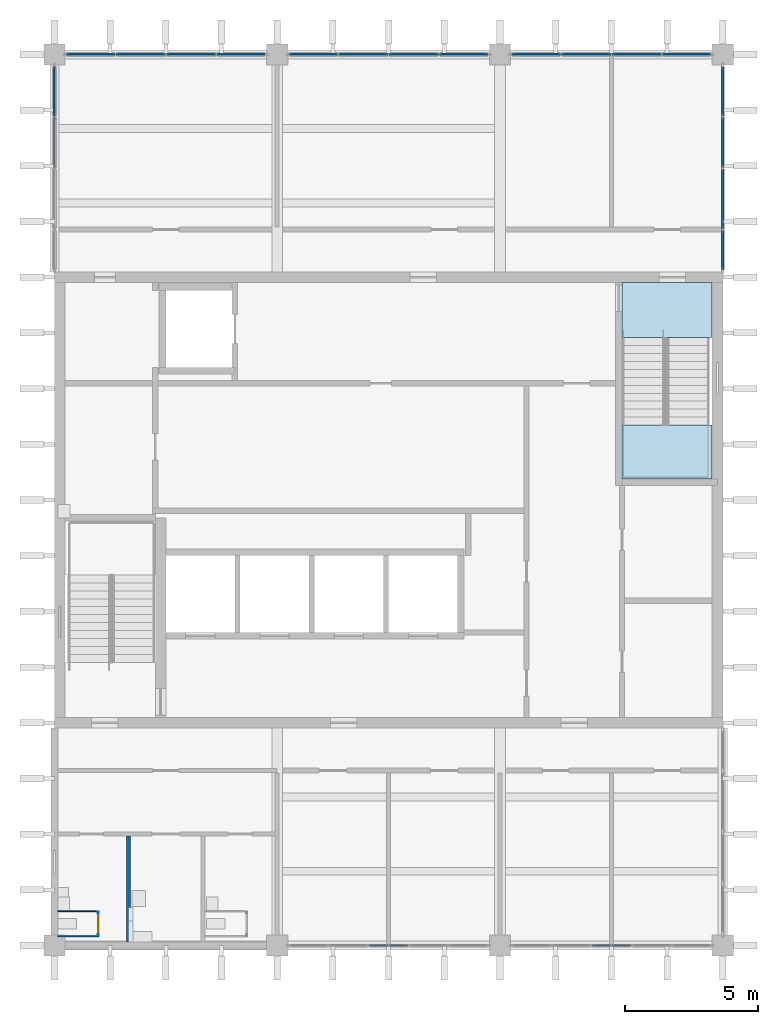
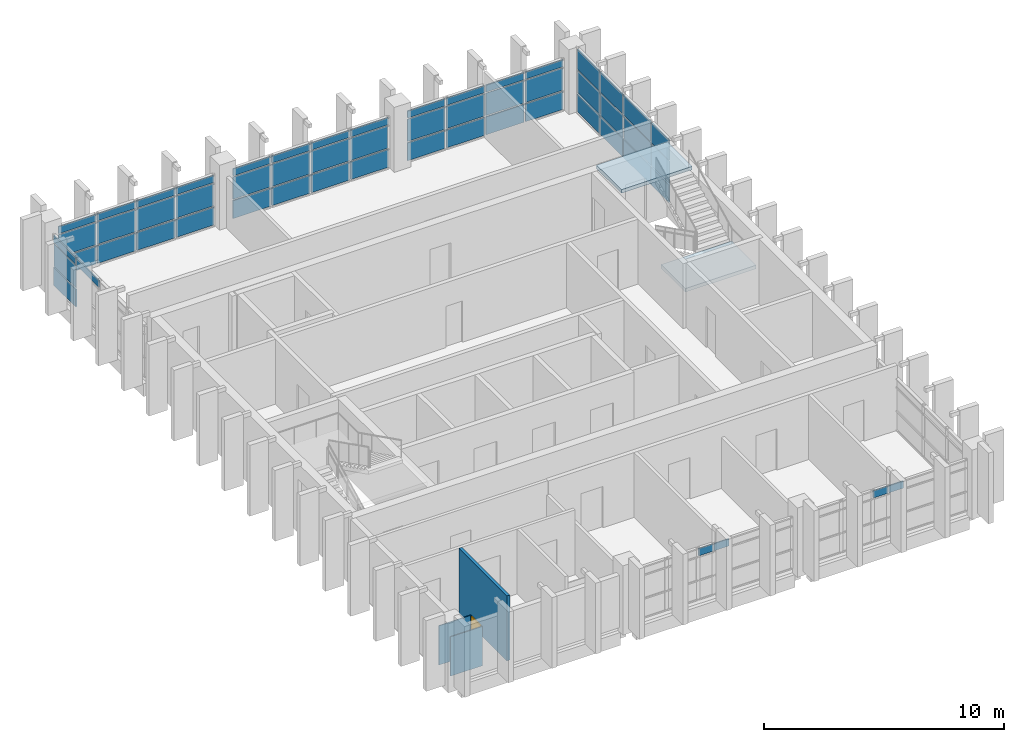
# One storey, part 6 of 11: 56 plates, 4 walls, 2 slabs, 1 door, 1 opening, 8 elements without a shape of their own.
"""IFC4 building model written with IfcOpenShell, lengths in metres."""

from ifc_helpers import new_model, si_unit, direction, frame, frame_2d, origin, origin_2d, place, context, subcontext, project, spatial, polyline, rectangle, outline, extrude, material, layer, layer_set, type_object, element, fill, aggregate, save


model = new_model("IFC4")

# Units and contexts
model_context = context("Model", 3, precision=1e-05, world=origin(), true_north=direction((0.0, 1.0)))
body_context = subcontext(model_context, "Body", "Model", "MODEL_VIEW")
ifc_project = project(units=[si_unit("LENGTHUNIT", "METRE"), si_unit("AREAUNIT", "SQUARE_METRE"), si_unit("VOLUMEUNIT", "CUBIC_METRE"), si_unit("PLANEANGLEUNIT", "RADIAN"), si_unit("MASSUNIT", "GRAM", prefix="KILO")], contexts=[model_context])

# Site, building, storey
site_placement = place(None, origin())
site = spatial("IfcSite", under=ifc_project, at=site_placement, CompositionType="ELEMENT")
building_placement = place(site_placement, origin())
building = spatial("IfcBuilding", under=site, at=building_placement, Name="Rulbaag Community and Learning Centre", CompositionType="ELEMENT")
storey_placement = place(building_placement, frame((0.0, 0.0, 46.800048828125)))
storey = spatial("IfcBuildingStorey", under=building, at=storey_placement, Name="L12", CompositionType="ELEMENT", Elevation=46.800048828125)

# Curtain wall, plates
ifc_material_1 = material(Name="Aluminium", Category="aluminium")
ifc_layer_1 = layer(ifc_material_1, 0.14990234375)
ifc_layer_set_1 = layer_set([ifc_layer_1], Name="CW-S")
curtain_wall_type_1 = type_object("IfcCurtainWallType", Name="CW-S", PredefinedType="USERDEFINED", material=ifc_layer_set_1)
curtain_wall_1_placement = place(storey_placement, origin())
curtain_wall_1 = element("IfcCurtainWall", 1, at=curtain_wall_1_placement, inside=storey, type_object=curtain_wall_type_1, Name="GS-L12-01", ObjectType="UNITISED CURTAIN WALL", PredefinedType="USERDEFINED")
ifc_layer_2 = layer(ifc_material_1, 0.054931640625)
ifc_layer_set_2 = layer_set([ifc_layer_2], Name="CW-S-SPN")
plate_type_1 = type_object("IfcPlateType", Name="CW-S-SPN", PredefinedType="CURTAIN_PANEL", material=ifc_layer_set_2)
plate_1_placement = place(storey_placement, frame((155.02001953125, 84.0, 2.22998046875), z_axis=(0.0, 0.0, 1.0), x_axis=(1.0, 0.0, 0.0)))
plate_1 = element("IfcPlate", 2, at=plate_1_placement, type_object=plate_type_1, Name="GS spandrel panel", PredefinedType="CURTAIN_PANEL", context=body_context, shape_type="SweptSolid", body=[
    extrude(rectangle(XDim=0.699951171875, YDim=0.054931640625, at=origin_2d()), origin(), (0.0, 0.0, 1.0), 0.360107421875),
])
plate_2_placement = place(storey_placement, frame((155.780029296875, 84.0, 2.22998046875), z_axis=(0.0, 0.0, 1.0), x_axis=(1.0, 0.0, 0.0)))
plate_2 = element("IfcPlate", 3, at=plate_2_placement, type_object=plate_type_1, Name="GS spandrel panel", PredefinedType="CURTAIN_PANEL", context=body_context, shape_type="SweptSolid", body=[
    extrude(rectangle(XDim=0.699951171875, YDim=0.054931640625, at=origin_2d()), origin(), (0.0, 0.0, 1.0), 0.360107421875),
])
aggregate(curtain_wall_1, [plate_1, plate_2])

curtain_wall_2_placement = place(storey_placement, origin())
curtain_wall_2 = element("IfcCurtainWall", 4, at=curtain_wall_2_placement, inside=storey, type_object=curtain_wall_type_1, Name="GS-L12-02", ObjectType="UNITISED CURTAIN WALL", PredefinedType="USERDEFINED")
plate_3_placement = place(storey_placement, frame((163.419921875, 84.0, 2.22998046875), z_axis=(0.0, 0.0, 1.0), x_axis=(1.0, 0.0, 0.0)))
plate_3 = element("IfcPlate", 5, at=plate_3_placement, type_object=plate_type_1, Name="GS spandrel panel", PredefinedType="CURTAIN_PANEL", context=body_context, shape_type="SweptSolid", body=[
    extrude(rectangle(XDim=0.699951171875, YDim=0.054931640625, at=origin_2d()), origin(), (0.0, 0.0, 1.0), 0.360107421875),
])
plate_4_placement = place(storey_placement, frame((164.179931640625, 84.0, 2.22998046875), z_axis=(0.0, 0.0, 1.0), x_axis=(1.0, 0.0, 0.0)))
plate_4 = element("IfcPlate", 6, at=plate_4_placement, type_object=plate_type_1, Name="GS spandrel panel", PredefinedType="CURTAIN_PANEL", context=body_context, shape_type="SweptSolid", body=[
    extrude(rectangle(XDim=0.699951171875, YDim=0.054931640625, at=origin_2d()), origin(), (0.0, 0.0, 1.0), 0.360107421875),
])
aggregate(curtain_wall_2, [plate_3, plate_4])

ifc_layer_3 = layer(ifc_material_1, 0.14990234375)
ifc_layer_set_3 = layer_set([ifc_layer_3], Name="CW-T")
curtain_wall_type_2 = type_object("IfcCurtainWallType", Name="CW-T", PredefinedType="USERDEFINED", material=ifc_layer_set_3)
curtain_wall_3_placement = place(storey_placement, origin())
curtain_wall_3 = element("IfcCurtainWall", 7, at=curtain_wall_3_placement, inside=storey, type_object=curtain_wall_type_2, Name="GT-L12-01", ObjectType="UNITISED CURTAIN WALL", PredefinedType="USERDEFINED")
ifc_layer_4 = layer(ifc_material_1, 0.06005859375)
ifc_layer_set_4 = layer_set([ifc_layer_4], Name="CW-T-SPN")
plate_type_2 = type_object("IfcPlateType", Name="CW-T-SPN", PredefinedType="CURTAIN_PANEL", material=ifc_layer_set_4)
plate_5_placement = place(storey_placement, frame((144.166259765625, 117.60009765625, 0.06494140625), z_axis=(0.0, 0.0, 1.0), x_axis=(1.0, 0.0, 0.0)))
plate_5 = element("IfcPlate", 8, at=plate_5_placement, type_object=plate_type_2, Name="GT spandrel panel", PredefinedType="CURTAIN_PANEL", context=body_context, shape_type="SweptSolid", body=[
    extrude(rectangle(XDim=1.802490234375, YDim=0.06005859375, at=origin_2d()), origin(), (0.0, 0.0, 1.0), 0.902587890625),
])
plate_6_placement = place(storey_placement, frame((144.166259765625, 117.60009765625, 2.232421875), z_axis=(0.0, 0.0, 1.0), x_axis=(1.0, 0.0, 0.0)))
plate_6 = element("IfcPlate", 9, at=plate_6_placement, type_object=plate_type_2, Name="GT spandrel panel", PredefinedType="CURTAIN_PANEL", context=body_context, shape_type="SweptSolid", body=[
    extrude(rectangle(XDim=1.802490234375, YDim=0.06005859375, at=origin_2d()), origin(), (0.0, 0.0, 1.0), 0.3525390625),
])
plate_7_placement = place(storey_placement, frame((146.050048828125, 117.60009765625, 0.06494140625), z_axis=(0.0, 0.0, 1.0), x_axis=(1.0, 0.0, 0.0)))
plate_7 = element("IfcPlate", 10, at=plate_7_placement, type_object=plate_type_2, Name="GT spandrel panel", PredefinedType="CURTAIN_PANEL", context=body_context, shape_type="SweptSolid", body=[
    extrude(rectangle(XDim=1.8349609375, YDim=0.06005859375, at=origin_2d()), origin(), (0.0, 0.0, 1.0), 0.902587890625),
])
plate_8_placement = place(storey_placement, frame((146.050048828125, 117.60009765625, 2.232421875), z_axis=(0.0, 0.0, 1.0), x_axis=(1.0, 0.0, 0.0)))
plate_8 = element("IfcPlate", 11, at=plate_8_placement, type_object=plate_type_2, Name="GT spandrel panel", PredefinedType="CURTAIN_PANEL", context=body_context, shape_type="SweptSolid", body=[
    extrude(rectangle(XDim=1.8349609375, YDim=0.06005859375, at=origin_2d()), origin(), (0.0, 0.0, 1.0), 0.3525390625),
])
plate_9_placement = place(storey_placement, frame((147.949951171875, 117.60009765625, 0.06494140625), z_axis=(0.0, 0.0, 1.0), x_axis=(1.0, 0.0, 0.0)))
plate_9 = element("IfcPlate", 12, at=plate_9_placement, type_object=plate_type_2, Name="GT spandrel panel", PredefinedType="CURTAIN_PANEL", context=body_context, shape_type="SweptSolid", body=[
    extrude(rectangle(XDim=1.8349609375, YDim=0.06005859375, at=origin_2d()), origin(), (0.0, 0.0, 1.0), 0.902587890625),
])
plate_10_placement = place(storey_placement, frame((147.949951171875, 117.60009765625, 2.232421875), z_axis=(0.0, 0.0, 1.0), x_axis=(1.0, 0.0, 0.0)))
plate_10 = element("IfcPlate", 13, at=plate_10_placement, type_object=plate_type_2, Name="GT spandrel panel", PredefinedType="CURTAIN_PANEL", context=body_context, shape_type="SweptSolid", body=[
    extrude(rectangle(XDim=1.8349609375, YDim=0.06005859375, at=origin_2d()), origin(), (0.0, 0.0, 1.0), 0.3525390625),
])
plate_11_placement = place(storey_placement, frame((149.833740234375, 117.60009765625, 0.06494140625), z_axis=(0.0, 0.0, 1.0), x_axis=(1.0, 0.0, 0.0)))
plate_11 = element("IfcPlate", 14, at=plate_11_placement, type_object=plate_type_2, Name="GT spandrel panel", PredefinedType="CURTAIN_PANEL", context=body_context, shape_type="SweptSolid", body=[
    extrude(rectangle(XDim=1.802490234375, YDim=0.06005859375, at=origin_2d()), origin(), (0.0, 0.0, 1.0), 0.902587890625),
])
plate_12_placement = place(storey_placement, frame((149.833740234375, 117.60009765625, 2.232421875), z_axis=(0.0, 0.0, 1.0), x_axis=(1.0, 0.0, 0.0)))
plate_12 = element("IfcPlate", 15, at=plate_12_placement, type_object=plate_type_2, Name="GT spandrel panel", PredefinedType="CURTAIN_PANEL", context=body_context, shape_type="SweptSolid", body=[
    extrude(rectangle(XDim=1.802490234375, YDim=0.06005859375, at=origin_2d()), origin(), (0.0, 0.0, 1.0), 0.3525390625),
])

curtain_wall_4_placement = place(storey_placement, origin())
curtain_wall_4 = element("IfcCurtainWall", 16, at=curtain_wall_4_placement, inside=storey, type_object=curtain_wall_type_2, Name="GT-L12-02", ObjectType="UNITISED CURTAIN WALL", PredefinedType="USERDEFINED")
plate_13_placement = place(storey_placement, frame((152.566162109375, 117.60009765625, 0.06494140625), z_axis=(0.0, 0.0, 1.0), x_axis=(1.0, 0.0, 0.0)))
plate_13 = element("IfcPlate", 17, at=plate_13_placement, type_object=plate_type_2, Name="GT spandrel panel", PredefinedType="CURTAIN_PANEL", context=body_context, shape_type="SweptSolid", body=[
    extrude(rectangle(XDim=1.802490234375, YDim=0.06005859375, at=origin_2d()), origin(), (0.0, 0.0, 1.0), 0.902587890625),
])
plate_14_placement = place(storey_placement, frame((152.566162109375, 117.60009765625, 2.232421875), z_axis=(0.0, 0.0, 1.0), x_axis=(1.0, 0.0, 0.0)))
plate_14 = element("IfcPlate", 18, at=plate_14_placement, type_object=plate_type_2, Name="GT spandrel panel", PredefinedType="CURTAIN_PANEL", context=body_context, shape_type="SweptSolid", body=[
    extrude(rectangle(XDim=1.802490234375, YDim=0.06005859375, at=origin_2d()), origin(), (0.0, 0.0, 1.0), 0.3525390625),
])
plate_15_placement = place(storey_placement, frame((154.449951171875, 117.60009765625, 0.06494140625), z_axis=(0.0, 0.0, 1.0), x_axis=(1.0, 0.0, 0.0)))
plate_15 = element("IfcPlate", 19, at=plate_15_placement, type_object=plate_type_2, Name="GT spandrel panel", PredefinedType="CURTAIN_PANEL", context=body_context, shape_type="SweptSolid", body=[
    extrude(rectangle(XDim=1.8349609375, YDim=0.06005859375, at=origin_2d()), origin(), (0.0, 0.0, 1.0), 0.902587890625),
])
plate_16_placement = place(storey_placement, frame((154.449951171875, 117.60009765625, 2.232421875), z_axis=(0.0, 0.0, 1.0), x_axis=(1.0, 0.0, 0.0)))
plate_16 = element("IfcPlate", 20, at=plate_16_placement, type_object=plate_type_2, Name="GT spandrel panel", PredefinedType="CURTAIN_PANEL", context=body_context, shape_type="SweptSolid", body=[
    extrude(rectangle(XDim=1.8349609375, YDim=0.06005859375, at=origin_2d()), origin(), (0.0, 0.0, 1.0), 0.3525390625),
])
plate_17_placement = place(storey_placement, frame((156.35009765625, 117.60009765625, 0.06494140625), z_axis=(0.0, 0.0, 1.0), x_axis=(1.0, 0.0, 0.0)))
plate_17 = element("IfcPlate", 21, at=plate_17_placement, type_object=plate_type_2, Name="GT spandrel panel", PredefinedType="CURTAIN_PANEL", context=body_context, shape_type="SweptSolid", body=[
    extrude(rectangle(XDim=1.8349609375, YDim=0.06005859375, at=origin_2d()), origin(), (0.0, 0.0, 1.0), 0.902587890625),
])
plate_18_placement = place(storey_placement, frame((156.35009765625, 117.60009765625, 2.232421875), z_axis=(0.0, 0.0, 1.0), x_axis=(1.0, 0.0, 0.0)))
plate_18 = element("IfcPlate", 22, at=plate_18_placement, type_object=plate_type_2, Name="GT spandrel panel", PredefinedType="CURTAIN_PANEL", context=body_context, shape_type="SweptSolid", body=[
    extrude(rectangle(XDim=1.8349609375, YDim=0.06005859375, at=origin_2d()), origin(), (0.0, 0.0, 1.0), 0.3525390625),
])
plate_19_placement = place(storey_placement, frame((158.233642578125, 117.60009765625, 0.06494140625), z_axis=(0.0, 0.0, 1.0), x_axis=(1.0, 0.0, 0.0)))
plate_19 = element("IfcPlate", 23, at=plate_19_placement, type_object=plate_type_2, Name="GT spandrel panel", PredefinedType="CURTAIN_PANEL", context=body_context, shape_type="SweptSolid", body=[
    extrude(rectangle(XDim=1.802490234375, YDim=0.06005859375, at=origin_2d()), origin(), (0.0, 0.0, 1.0), 0.902587890625),
])
plate_20_placement = place(storey_placement, frame((158.233642578125, 117.60009765625, 2.232421875), z_axis=(0.0, 0.0, 1.0), x_axis=(1.0, 0.0, 0.0)))
plate_20 = element("IfcPlate", 24, at=plate_20_placement, type_object=plate_type_2, Name="GT spandrel panel", PredefinedType="CURTAIN_PANEL", context=body_context, shape_type="SweptSolid", body=[
    extrude(rectangle(XDim=1.802490234375, YDim=0.06005859375, at=origin_2d()), origin(), (0.0, 0.0, 1.0), 0.3525390625),
])

curtain_wall_5_placement = place(storey_placement, origin())
curtain_wall_5 = element("IfcCurtainWall", 25, at=curtain_wall_5_placement, inside=storey, type_object=curtain_wall_type_2, Name="GT-L12-03", ObjectType="UNITISED CURTAIN WALL", PredefinedType="USERDEFINED")
plate_21_placement = place(storey_placement, frame((160.96630859375, 117.60009765625, 0.06494140625), z_axis=(0.0, 0.0, 1.0), x_axis=(1.0, 0.0, 0.0)))
plate_21 = element("IfcPlate", 26, at=plate_21_placement, type_object=plate_type_2, Name="GT spandrel panel", PredefinedType="CURTAIN_PANEL", context=body_context, shape_type="SweptSolid", body=[
    extrude(rectangle(XDim=1.802490234375, YDim=0.06005859375, at=origin_2d()), origin(), (0.0, 0.0, 1.0), 0.902587890625),
])
plate_22_placement = place(storey_placement, frame((160.96630859375, 117.60009765625, 2.232421875), z_axis=(0.0, 0.0, 1.0), x_axis=(1.0, 0.0, 0.0)))
plate_22 = element("IfcPlate", 27, at=plate_22_placement, type_object=plate_type_2, Name="GT spandrel panel", PredefinedType="CURTAIN_PANEL", context=body_context, shape_type="SweptSolid", body=[
    extrude(rectangle(XDim=1.802490234375, YDim=0.06005859375, at=origin_2d()), origin(), (0.0, 0.0, 1.0), 0.3525390625),
])
plate_23_placement = place(storey_placement, frame((162.85009765625, 117.60009765625, 0.06494140625), z_axis=(0.0, 0.0, 1.0), x_axis=(1.0, 0.0, 0.0)))
plate_23 = element("IfcPlate", 28, at=plate_23_placement, type_object=plate_type_2, Name="GT spandrel panel", PredefinedType="CURTAIN_PANEL", context=body_context, shape_type="SweptSolid", body=[
    extrude(rectangle(XDim=1.8349609375, YDim=0.06005859375, at=origin_2d()), origin(), (0.0, 0.0, 1.0), 0.902587890625),
])
plate_24_placement = place(storey_placement, frame((162.85009765625, 117.60009765625, 2.232421875), z_axis=(0.0, 0.0, 1.0), x_axis=(1.0, 0.0, 0.0)))
plate_24 = element("IfcPlate", 29, at=plate_24_placement, type_object=plate_type_2, Name="GT spandrel panel", PredefinedType="CURTAIN_PANEL", context=body_context, shape_type="SweptSolid", body=[
    extrude(rectangle(XDim=1.8349609375, YDim=0.06005859375, at=origin_2d()), origin(), (0.0, 0.0, 1.0), 0.3525390625),
])
plate_25_placement = place(storey_placement, frame((164.75, 117.60009765625, 0.06494140625), z_axis=(0.0, 0.0, 1.0), x_axis=(1.0, 0.0, 0.0)))
plate_25 = element("IfcPlate", 30, at=plate_25_placement, type_object=plate_type_2, Name="GT spandrel panel", PredefinedType="CURTAIN_PANEL", context=body_context, shape_type="SweptSolid", body=[
    extrude(rectangle(XDim=1.8349609375, YDim=0.06005859375, at=origin_2d()), origin(), (0.0, 0.0, 1.0), 0.902587890625),
])
plate_26_placement = place(storey_placement, frame((164.75, 117.60009765625, 2.232421875), z_axis=(0.0, 0.0, 1.0), x_axis=(1.0, 0.0, 0.0)))
plate_26 = element("IfcPlate", 31, at=plate_26_placement, type_object=plate_type_2, Name="GT spandrel panel", PredefinedType="CURTAIN_PANEL", context=body_context, shape_type="SweptSolid", body=[
    extrude(rectangle(XDim=1.8349609375, YDim=0.06005859375, at=origin_2d()), origin(), (0.0, 0.0, 1.0), 0.3525390625),
])
plate_27_placement = place(storey_placement, frame((166.6337890625, 117.60009765625, 0.06494140625), z_axis=(0.0, 0.0, 1.0), x_axis=(1.0, 0.0, 0.0)))
plate_27 = element("IfcPlate", 32, at=plate_27_placement, type_object=plate_type_2, Name="GT spandrel panel", PredefinedType="CURTAIN_PANEL", context=body_context, shape_type="SweptSolid", body=[
    extrude(rectangle(XDim=1.802490234375, YDim=0.06005859375, at=origin_2d()), origin(), (0.0, 0.0, 1.0), 0.902587890625),
])
plate_28_placement = place(storey_placement, frame((166.6337890625, 117.60009765625, 2.232421875), z_axis=(0.0, 0.0, 1.0), x_axis=(1.0, 0.0, 0.0)))
plate_28 = element("IfcPlate", 33, at=plate_28_placement, type_object=plate_type_2, Name="GT spandrel panel", PredefinedType="CURTAIN_PANEL", context=body_context, shape_type="SweptSolid", body=[
    extrude(rectangle(XDim=1.802490234375, YDim=0.06005859375, at=origin_2d()), origin(), (0.0, 0.0, 1.0), 0.3525390625),
])

curtain_wall_6_placement = place(storey_placement, origin())
curtain_wall_6 = element("IfcCurtainWall", 34, at=curtain_wall_6_placement, inside=storey, type_object=curtain_wall_type_2, Name="GT-L12-04", ObjectType="UNITISED CURTAIN WALL", PredefinedType="USERDEFINED")
plate_29_placement = place(storey_placement, frame((142.800048828125, 114.284423828125, 2.232421875), z_axis=(0.0, 0.0, 1.0), x_axis=(0.0, 1.0, 0.0)))
plate_29 = element("IfcPlate", 35, at=plate_29_placement, type_object=plate_type_2, Name="GT spandrel panel", PredefinedType="CURTAIN_PANEL", context=body_context, shape_type="SweptSolid", body=[
    extrude(rectangle(XDim=1.878662109375, YDim=0.06005859375, at=origin_2d()), origin(), (0.0, 0.0, 1.0), 0.3525390625),
])
plate_30_placement = place(storey_placement, frame((142.800048828125, 116.2119140625, 0.06494140625), z_axis=(0.0, 0.0, 1.0), x_axis=(0.0, 1.0, 0.0)))
plate_30 = element("IfcPlate", 36, at=plate_30_placement, type_object=plate_type_2, Name="GT spandrel panel", PredefinedType="CURTAIN_PANEL", context=body_context, shape_type="SweptSolid", body=[
    extrude(rectangle(XDim=1.84619140625, YDim=0.06005859375, at=origin_2d()), origin(), (0.0, 0.0, 1.0), 0.902587890625),
])
plate_31_placement = place(storey_placement, frame((142.800048828125, 116.2119140625, 2.232421875), z_axis=(0.0, 0.0, 1.0), x_axis=(0.0, 1.0, 0.0)))
plate_31 = element("IfcPlate", 37, at=plate_31_placement, type_object=plate_type_2, Name="GT spandrel panel", PredefinedType="CURTAIN_PANEL", context=body_context, shape_type="SweptSolid", body=[
    extrude(rectangle(XDim=1.84619140625, YDim=0.06005859375, at=origin_2d()), origin(), (0.0, 0.0, 1.0), 0.3525390625),
])

curtain_wall_7_placement = place(storey_placement, origin())
curtain_wall_7 = element("IfcCurtainWall", 38, at=curtain_wall_7_placement, inside=storey, type_object=curtain_wall_type_2, Name="GT-L12-06", ObjectType="UNITISED CURTAIN WALL", PredefinedType="USERDEFINED")
plate_32_placement = place(storey_placement, frame((168.0, 110.228759765625, 0.06494140625), z_axis=(0.0, 0.0, 1.0), x_axis=(0.0, 1.0, 0.0)))
plate_32 = element("IfcPlate", 39, at=plate_32_placement, type_object=plate_type_2, Name="GT spandrel panel", PredefinedType="CURTAIN_PANEL", context=body_context, shape_type="SweptSolid", body=[
    extrude(rectangle(XDim=1.4775390625, YDim=0.06005859375, at=origin_2d()), origin(), (0.0, 0.0, 1.0), 0.902587890625),
])
plate_33_placement = place(storey_placement, frame((168.0, 110.228759765625, 2.232421875), z_axis=(0.0, 0.0, 1.0), x_axis=(0.0, 1.0, 0.0)))
plate_33 = element("IfcPlate", 40, at=plate_33_placement, type_object=plate_type_2, Name="GT spandrel panel", PredefinedType="CURTAIN_PANEL", context=body_context, shape_type="SweptSolid", body=[
    extrude(rectangle(XDim=1.4775390625, YDim=0.06005859375, at=origin_2d()), origin(), (0.0, 0.0, 1.0), 1.00244140625),
])
plate_34_placement = place(storey_placement, frame((168.0, 112.15625, 0.06494140625), z_axis=(0.0, 0.0, 1.0), x_axis=(0.0, 1.0, 0.0)))
plate_34 = element("IfcPlate", 41, at=plate_34_placement, type_object=plate_type_2, Name="GT spandrel panel", PredefinedType="CURTAIN_PANEL", context=body_context, shape_type="SweptSolid", body=[
    extrude(rectangle(XDim=2.24755859375, YDim=0.06005859375, at=origin_2d()), origin(), (0.0, 0.0, 1.0), 0.902587890625),
])
plate_35_placement = place(storey_placement, frame((168.0, 112.15625, 2.232421875), z_axis=(0.0, 0.0, 1.0), x_axis=(0.0, 1.0, 0.0)))
plate_35 = element("IfcPlate", 42, at=plate_35_placement, type_object=plate_type_2, Name="GT spandrel panel", PredefinedType="CURTAIN_PANEL", context=body_context, shape_type="SweptSolid", body=[
    extrude(rectangle(XDim=2.24755859375, YDim=0.06005859375, at=origin_2d()), origin(), (0.0, 0.0, 1.0), 1.00244140625),
])
plate_36_placement = place(storey_placement, frame((168.0, 114.284423828125, 0.06494140625), z_axis=(0.0, 0.0, 1.0), x_axis=(0.0, 1.0, 0.0)))
plate_36 = element("IfcPlate", 43, at=plate_36_placement, type_object=plate_type_2, Name="GT spandrel panel", PredefinedType="CURTAIN_PANEL", context=body_context, shape_type="SweptSolid", body=[
    extrude(rectangle(XDim=1.878662109375, YDim=0.06005859375, at=origin_2d()), origin(), (0.0, 0.0, 1.0), 0.902587890625),
])
plate_37_placement = place(storey_placement, frame((168.0, 114.284423828125, 2.232421875), z_axis=(0.0, 0.0, 1.0), x_axis=(0.0, 1.0, 0.0)))
plate_37 = element("IfcPlate", 44, at=plate_37_placement, type_object=plate_type_2, Name="GT spandrel panel", PredefinedType="CURTAIN_PANEL", context=body_context, shape_type="SweptSolid", body=[
    extrude(rectangle(XDim=1.878662109375, YDim=0.06005859375, at=origin_2d()), origin(), (0.0, 0.0, 1.0), 1.00244140625),
])
plate_38_placement = place(storey_placement, frame((168.0, 116.2119140625, 0.06494140625), z_axis=(0.0, 0.0, 1.0), x_axis=(0.0, 1.0, 0.0)))
plate_38 = element("IfcPlate", 45, at=plate_38_placement, type_object=plate_type_2, Name="GT spandrel panel", PredefinedType="CURTAIN_PANEL", context=body_context, shape_type="SweptSolid", body=[
    extrude(rectangle(XDim=1.84619140625, YDim=0.06005859375, at=origin_2d()), origin(), (0.0, 0.0, 1.0), 0.902587890625),
])
plate_39_placement = place(storey_placement, frame((168.0, 116.2119140625, 2.232421875), z_axis=(0.0, 0.0, 1.0), x_axis=(0.0, 1.0, 0.0)))
plate_39 = element("IfcPlate", 46, at=plate_39_placement, type_object=plate_type_2, Name="GT spandrel panel", PredefinedType="CURTAIN_PANEL", context=body_context, shape_type="SweptSolid", body=[
    extrude(rectangle(XDim=1.84619140625, YDim=0.06005859375, at=origin_2d()), origin(), (0.0, 0.0, 1.0), 1.00244140625),
])

# Plate
ifc_material_2 = material(Name="Glass", Category="glass")
ifc_layer_5 = layer(ifc_material_2, 0.028076171875)
ifc_layer_set_5 = layer_set([ifc_layer_5], Name="CW-T-VIS")
plate_type_3 = type_object("IfcPlateType", Name="CW-T-VIS", PredefinedType="CURTAIN_PANEL", material=ifc_layer_set_5)
plate_40_placement = place(storey_placement, frame((144.166259765625, 117.60009765625, 1.0322265625), z_axis=(0.0, 0.0, 1.0), x_axis=(1.0, 0.0, 0.0)))
plate_40 = element("IfcPlate", 47, at=plate_40_placement, type_object=plate_type_3, Name="GT vision panel", PredefinedType="CURTAIN_PANEL", context=body_context, shape_type="SweptSolid", body=[
    extrude(rectangle(XDim=1.802490234375, YDim=0.028076171875, at=origin_2d()), origin(), (0.0, 0.0, 1.0), 1.135009765625),
])

plate_41_placement = place(storey_placement, frame((146.050048828125, 117.60009765625, 1.0322265625), z_axis=(0.0, 0.0, 1.0), x_axis=(1.0, 0.0, 0.0)))
plate_41 = element("IfcPlate", 48, at=plate_41_placement, type_object=plate_type_3, Name="GT vision panel", PredefinedType="CURTAIN_PANEL", context=body_context, shape_type="SweptSolid", body=[
    extrude(rectangle(XDim=1.8349609375, YDim=0.028076171875, at=origin_2d()), origin(), (0.0, 0.0, 1.0), 1.135009765625),
])

plate_42_placement = place(storey_placement, frame((147.949951171875, 117.60009765625, 1.0322265625), z_axis=(0.0, 0.0, 1.0), x_axis=(1.0, 0.0, 0.0)))
plate_42 = element("IfcPlate", 49, at=plate_42_placement, type_object=plate_type_3, Name="GT vision panel", PredefinedType="CURTAIN_PANEL", context=body_context, shape_type="SweptSolid", body=[
    extrude(rectangle(XDim=1.8349609375, YDim=0.028076171875, at=origin_2d()), origin(), (0.0, 0.0, 1.0), 1.135009765625),
])

plate_43_placement = place(storey_placement, frame((149.833740234375, 117.60009765625, 1.0322265625), z_axis=(0.0, 0.0, 1.0), x_axis=(1.0, 0.0, 0.0)))
plate_43 = element("IfcPlate", 50, at=plate_43_placement, type_object=plate_type_3, Name="GT vision panel", PredefinedType="CURTAIN_PANEL", context=body_context, shape_type="SweptSolid", body=[
    extrude(rectangle(XDim=1.802490234375, YDim=0.028076171875, at=origin_2d()), origin(), (0.0, 0.0, 1.0), 1.135009765625),
])

aggregate(curtain_wall_3, [plate_5, plate_40, plate_6, plate_7, plate_41, plate_8, plate_9, plate_42, plate_10, plate_11, plate_43, plate_12])

plate_44_placement = place(storey_placement, frame((152.566162109375, 117.60009765625, 1.0322265625), z_axis=(0.0, 0.0, 1.0), x_axis=(1.0, 0.0, 0.0)))
plate_44 = element("IfcPlate", 51, at=plate_44_placement, type_object=plate_type_3, Name="GT vision panel", PredefinedType="CURTAIN_PANEL", context=body_context, shape_type="SweptSolid", body=[
    extrude(rectangle(XDim=1.802490234375, YDim=0.028076171875, at=origin_2d()), origin(), (0.0, 0.0, 1.0), 1.135009765625),
])

plate_45_placement = place(storey_placement, frame((154.449951171875, 117.60009765625, 1.0322265625), z_axis=(0.0, 0.0, 1.0), x_axis=(1.0, 0.0, 0.0)))
plate_45 = element("IfcPlate", 52, at=plate_45_placement, type_object=plate_type_3, Name="GT vision panel", PredefinedType="CURTAIN_PANEL", context=body_context, shape_type="SweptSolid", body=[
    extrude(rectangle(XDim=1.8349609375, YDim=0.028076171875, at=origin_2d()), origin(), (0.0, 0.0, 1.0), 1.135009765625),
])

plate_46_placement = place(storey_placement, frame((156.35009765625, 117.60009765625, 1.0322265625), z_axis=(0.0, 0.0, 1.0), x_axis=(1.0, 0.0, 0.0)))
plate_46 = element("IfcPlate", 53, at=plate_46_placement, type_object=plate_type_3, Name="GT vision panel", PredefinedType="CURTAIN_PANEL", context=body_context, shape_type="SweptSolid", body=[
    extrude(rectangle(XDim=1.8349609375, YDim=0.028076171875, at=origin_2d()), origin(), (0.0, 0.0, 1.0), 1.135009765625),
])

plate_47_placement = place(storey_placement, frame((158.233642578125, 117.60009765625, 1.0322265625), z_axis=(0.0, 0.0, 1.0), x_axis=(1.0, 0.0, 0.0)))
plate_47 = element("IfcPlate", 54, at=plate_47_placement, type_object=plate_type_3, Name="GT vision panel", PredefinedType="CURTAIN_PANEL", context=body_context, shape_type="SweptSolid", body=[
    extrude(rectangle(XDim=1.802490234375, YDim=0.028076171875, at=origin_2d()), origin(), (0.0, 0.0, 1.0), 1.135009765625),
])

aggregate(curtain_wall_4, [plate_13, plate_44, plate_14, plate_15, plate_45, plate_16, plate_17, plate_46, plate_18, plate_19, plate_47, plate_20])

plate_48_placement = place(storey_placement, frame((160.96630859375, 117.60009765625, 1.0322265625), z_axis=(0.0, 0.0, 1.0), x_axis=(1.0, 0.0, 0.0)))
plate_48 = element("IfcPlate", 55, at=plate_48_placement, type_object=plate_type_3, Name="GT vision panel", PredefinedType="CURTAIN_PANEL", context=body_context, shape_type="SweptSolid", body=[
    extrude(rectangle(XDim=1.802490234375, YDim=0.028076171875, at=origin_2d()), origin(), (0.0, 0.0, 1.0), 1.135009765625),
])

plate_49_placement = place(storey_placement, frame((162.85009765625, 117.60009765625, 1.0322265625), z_axis=(0.0, 0.0, 1.0), x_axis=(1.0, 0.0, 0.0)))
plate_49 = element("IfcPlate", 56, at=plate_49_placement, type_object=plate_type_3, Name="GT vision panel", PredefinedType="CURTAIN_PANEL", context=body_context, shape_type="SweptSolid", body=[
    extrude(rectangle(XDim=1.8349609375, YDim=0.028076171875, at=origin_2d()), origin(), (0.0, 0.0, 1.0), 1.135009765625),
])

plate_50_placement = place(storey_placement, frame((164.75, 117.60009765625, 1.0322265625), z_axis=(0.0, 0.0, 1.0), x_axis=(1.0, 0.0, 0.0)))
plate_50 = element("IfcPlate", 57, at=plate_50_placement, type_object=plate_type_3, Name="GT vision panel", PredefinedType="CURTAIN_PANEL", context=body_context, shape_type="SweptSolid", body=[
    extrude(rectangle(XDim=1.8349609375, YDim=0.028076171875, at=origin_2d()), origin(), (0.0, 0.0, 1.0), 1.135009765625),
])

plate_51_placement = place(storey_placement, frame((166.6337890625, 117.60009765625, 1.0322265625), z_axis=(0.0, 0.0, 1.0), x_axis=(1.0, 0.0, 0.0)))
plate_51 = element("IfcPlate", 58, at=plate_51_placement, type_object=plate_type_3, Name="GT vision panel", PredefinedType="CURTAIN_PANEL", context=body_context, shape_type="SweptSolid", body=[
    extrude(rectangle(XDim=1.802490234375, YDim=0.028076171875, at=origin_2d()), origin(), (0.0, 0.0, 1.0), 1.135009765625),
])

aggregate(curtain_wall_5, [plate_21, plate_48, plate_22, plate_23, plate_49, plate_24, plate_25, plate_50, plate_26, plate_27, plate_51, plate_28])

plate_52_placement = place(storey_placement, frame((142.800048828125, 116.2119140625, 1.0322265625), z_axis=(0.0, 0.0, 1.0), x_axis=(0.0, 1.0, 0.0)))
plate_52 = element("IfcPlate", 59, at=plate_52_placement, type_object=plate_type_3, Name="GT vision panel", PredefinedType="CURTAIN_PANEL", context=body_context, shape_type="SweptSolid", body=[
    extrude(rectangle(XDim=1.84619140625, YDim=0.028076171875, at=origin_2d()), origin(), (0.0, 0.0, 1.0), 1.135009765625),
])

aggregate(curtain_wall_6, [plate_29, plate_30, plate_52, plate_31])

plate_53_placement = place(storey_placement, frame((168.0, 110.228759765625, 1.0322265625), z_axis=(0.0, 0.0, 1.0), x_axis=(0.0, 1.0, 0.0)))
plate_53 = element("IfcPlate", 60, at=plate_53_placement, type_object=plate_type_3, Name="GT vision panel", PredefinedType="CURTAIN_PANEL", context=body_context, shape_type="SweptSolid", body=[
    extrude(rectangle(XDim=1.4775390625, YDim=0.028076171875, at=origin_2d()), origin(), (0.0, 0.0, 1.0), 1.135009765625),
])

plate_54_placement = place(storey_placement, frame((168.0, 112.15625, 1.0322265625), z_axis=(0.0, 0.0, 1.0), x_axis=(0.0, 1.0, 0.0)))
plate_54 = element("IfcPlate", 61, at=plate_54_placement, type_object=plate_type_3, Name="GT vision panel", PredefinedType="CURTAIN_PANEL", context=body_context, shape_type="SweptSolid", body=[
    extrude(rectangle(XDim=2.24755859375, YDim=0.028076171875, at=origin_2d()), origin(), (0.0, 0.0, 1.0), 1.135009765625),
])

plate_55_placement = place(storey_placement, frame((168.0, 114.284423828125, 1.0322265625), z_axis=(0.0, 0.0, 1.0), x_axis=(0.0, 1.0, 0.0)))
plate_55 = element("IfcPlate", 62, at=plate_55_placement, type_object=plate_type_3, Name="GT vision panel", PredefinedType="CURTAIN_PANEL", context=body_context, shape_type="SweptSolid", body=[
    extrude(rectangle(XDim=1.878662109375, YDim=0.028076171875, at=origin_2d()), origin(), (0.0, 0.0, 1.0), 1.135009765625),
])

plate_56_placement = place(storey_placement, frame((168.0, 116.2119140625, 1.0322265625), z_axis=(0.0, 0.0, 1.0), x_axis=(0.0, 1.0, 0.0)))
plate_56 = element("IfcPlate", 63, at=plate_56_placement, type_object=plate_type_3, Name="GT vision panel", PredefinedType="CURTAIN_PANEL", context=body_context, shape_type="SweptSolid", body=[
    extrude(rectangle(XDim=1.84619140625, YDim=0.028076171875, at=origin_2d()), origin(), (0.0, 0.0, 1.0), 1.135009765625),
])

aggregate(curtain_wall_7, [plate_32, plate_53, plate_33, plate_34, plate_54, plate_35, plate_36, plate_55, plate_37, plate_38, plate_56, plate_39])

# Stair, slabs
ifc_material_3 = material(Name="Concrete M40", Category="concrete")
stair_type = type_object("IfcStairType", Name="ST-1650 STAIR 1650 WIDE", PredefinedType="HALF_TURN_STAIR", material=ifc_material_3)
stair_placement = place(storey_placement, origin())
stair = element("IfcStair", 64, at=stair_placement, inside=storey, type_object=stair_type, Name="Stair ST2 L12", PredefinedType="HALF_TURN_STAIR")
ifc_layer_6 = layer(ifc_material_3, 0.179931640625)
ifc_layer_set_6 = layer_set([ifc_layer_6], Name="LN-180 LANDING 180 Concrete M40")
slab_type = type_object("IfcSlabType", Name="LN-180 LANDING 180 Concrete M40", PredefinedType="LANDING", material=ifc_layer_set_6)
slab_1_placement = place(storey_placement, frame((0.0, 0.0, 1.619873046875)))
slab_1 = element("IfcSlab", 65, at=slab_1_placement, type_object=slab_type, Name="ST2 landing 1", PredefinedType="LANDING", context=body_context, shape_type="SweptSolid", body=[
    extrude(outline(polyline([(164.199951171875, 101.60009765625), (164.199951171875, 103.625), (167.60009765625, 103.625), (167.60009765625, 101.60009765625), (164.199951171875, 101.60009765625)])), origin(), (0.0, 0.0, 1.0), 0.18017578125),
])
slab_2_placement = place(storey_placement, frame((0.0, 0.0, 3.419921875)))
slab_2 = element("IfcSlab", 66, at=slab_2_placement, type_object=slab_type, Name="ST2 landing 2", PredefinedType="LANDING", context=body_context, shape_type="SweptSolid", body=[
    extrude(outline(polyline([(164.199951171875, 106.925048828125), (164.199951171875, 109.0), (167.60009765625, 109.0), (167.60009765625, 106.925048828125), (164.199951171875, 106.925048828125)])), origin(), (0.0, 0.0, 1.0), 0.179931640625),
])
aggregate(stair, [slab_1, slab_2])

# Walls
ifc_material_4 = material(Name="High pressure laminate", Category="wood")
ifc_layer_7 = layer(ifc_material_4, 0.0400390625)
ifc_layer_set_7 = layer_set([ifc_layer_7], Name="CP-40")
wall_type_1 = type_object("IfcWallType", Name="CP-40", PredefinedType="PARTITIONING", material=ifc_layer_set_7)
wall_1_placement = place(storey_placement, frame((142.929931640625, 84.35009765625, 0.0), z_axis=(0.0, 0.0, 1.0), x_axis=(1.0, 0.0, 0.0)))
element("IfcWall", 67, at=wall_1_placement, inside=storey, type_object=wall_type_1, Name="Cubicle partition", PredefinedType="PARTITIONING", context=body_context, shape_type="SweptSolid", body=[
    extrude(rectangle(XDim=1.5400390625, YDim=0.0400390625, at=frame_2d((0.77001953125, 0.0))), origin(), (0.0, 0.0, 1.0), 2.0),
])
wall_2_placement = place(storey_placement, frame((142.925048828125, 85.2900390625, 0.0), z_axis=(0.0, 0.0, 1.0), x_axis=(1.0, 0.0, 0.0)))
element("IfcWall", 68, at=wall_2_placement, inside=storey, type_object=wall_type_1, Name="Cubicle partition", PredefinedType="PARTITIONING", context=body_context, shape_type="SweptSolid", body=[
    extrude(rectangle(XDim=1.544921875, YDim=0.0400390625, at=frame_2d((0.7724609375, 0.0))), origin(), (0.0, 0.0, 1.0), 2.0),
])

# Wall, opening, door
wall_3_placement = place(storey_placement, frame((144.449951171875, 84.3701171875, 0.0), z_axis=(0.0, 0.0, 1.0), x_axis=(0.0, 1.0, 0.0)))
wall_3 = element("IfcWall", 69, at=wall_3_placement, inside=storey, type_object=wall_type_1, Name="Cubicle partition", PredefinedType="PARTITIONING", context=body_context, shape_type="SweptSolid", body=[
    extrude(rectangle(XDim=0.89990234375, YDim=0.0400390625, at=frame_2d((0.449951171875, 0.0))), origin(), (0.0, 0.0, 1.0), 2.0),
])
opening_placement = place(wall_3_placement, frame((0.050048828125, 0.0, 0.0)))
opening = element("IfcOpeningElement", 70, at=opening_placement, cuts=wall_3, Name="Opening L12-D002", PredefinedType="OPENING", context=body_context, shape_type="SweptSolid", body=[
    extrude(rectangle(XDim=0.800048828125, YDim=2.0, at=frame_2d((0.39990234375, 1.0))), frame((0.0, 0.030029296875, 0.0), z_axis=(0.0, -1.0, 0.0), x_axis=(1.0, 0.0, 0.0)), (0.0, 0.0, 1.0), 0.06005859375),
])
door_type = type_object("IfcDoorType", Name="DC-80", OperationType="SINGLE_SWING_LEFT", PredefinedType="DOOR", material=ifc_material_4)
door_placement = place(opening_placement, origin())
door = element("IfcDoor", 71, at=door_placement, inside=storey, type_object=door_type, Name="Cubicle door", OperationType="SINGLE_SWING_LEFT", OverallHeight=2.0, OverallWidth=0.800048828125, PredefinedType="DOOR", context=body_context, shape_type="SweptSolid", body=[
    extrude(rectangle(XDim=0.800048828125, YDim=2.0, at=frame_2d((0.39990234375, 1.0))), frame((0.0, 0.019775390625, 0.0), z_axis=(0.0, -1.0, 0.0), x_axis=(1.0, 0.0, 0.0)), (0.0, 0.0, 1.0), 0.03955078125),
])
fill(opening, door)

# Wall
ifc_material_5 = material(Name="Concrete blockwork", Category="masonry")
ifc_layer_8 = layer(ifc_material_5, 0.14990234375)
ifc_layer_set_8 = layer_set([ifc_layer_8], Name="IP-150 PARTITION 150")
wall_type_2 = type_object("IfcWallType", Name="IP-150 PARTITION 150", PredefinedType="PARTITIONING", material=ifc_layer_set_8)
wall_4_placement = place(storey_placement, frame((145.60009765625, 84.125, 0.0), z_axis=(0.0, 0.0, 1.0), x_axis=(0.0, 1.0, 0.0)))
element("IfcWall", 72, at=wall_4_placement, inside=storey, type_object=wall_type_2, Name="Partition L12 11", PredefinedType="PARTITIONING", context=body_context, shape_type="SweptSolid", body=[
    extrude(rectangle(XDim=4.0, YDim=0.14990234375, at=frame_2d((2.0, 0.0))), origin(), (0.0, 0.0, 1.0), 3.300048828125),
])

save(model, "model.ifc")
